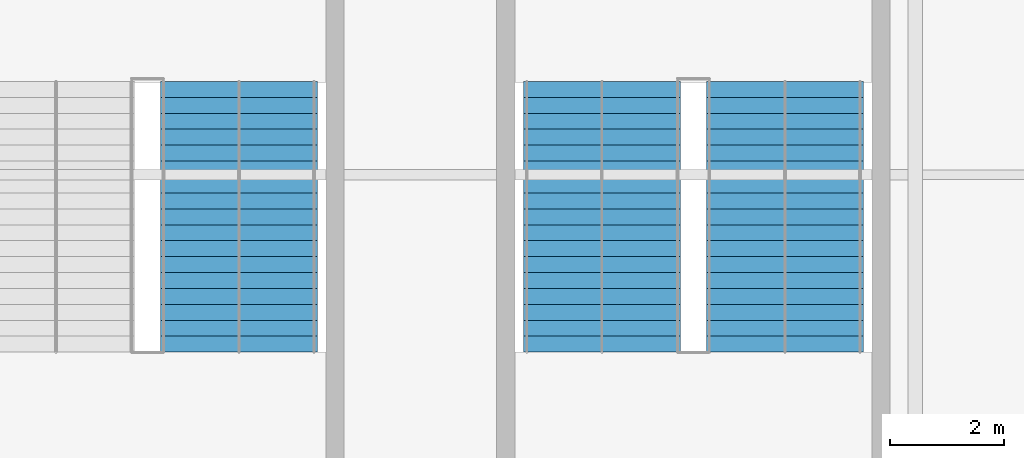
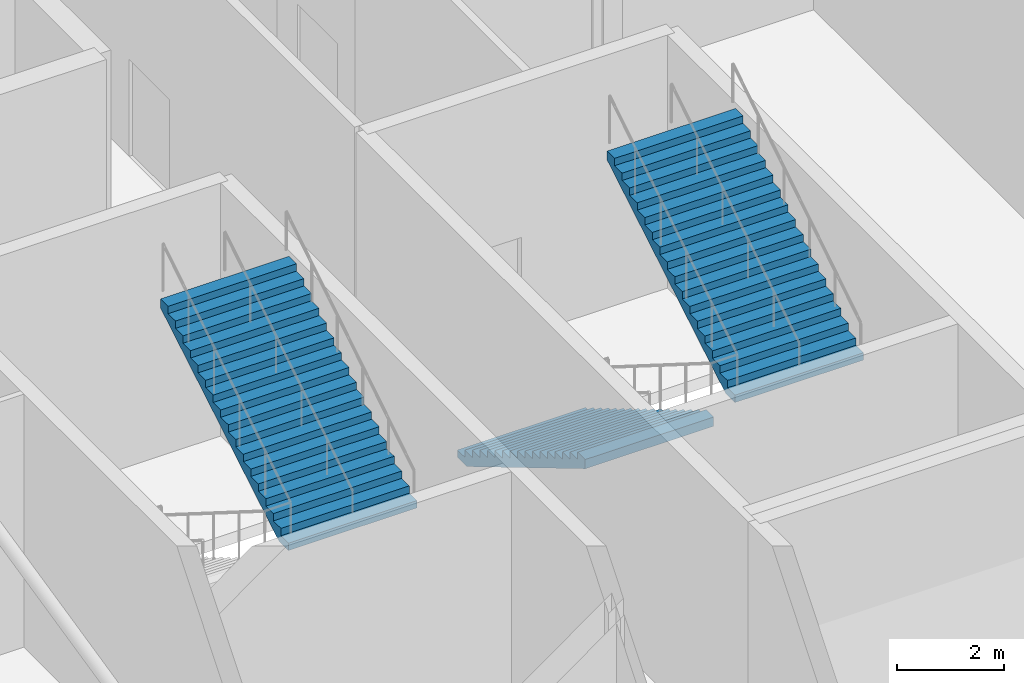
# One storey, part 58 of 84: 3 stair flights, 2 elements without a shape of their own.
"""IFC4 building model written with IfcOpenShell, lengths in metres."""

from ifc_helpers import new_model, si_unit, direction, frame, origin, place, context, subcontext, project, spatial, polygons, material, type_object, element, aggregate, save


model = new_model("IFC4")

# Units and contexts
model_context = context("Model", 3, precision=1e-05, world=origin(), true_north=direction((0.0, 1.0)))
body_context = subcontext(model_context, "Body", "Model", "MODEL_VIEW")
ifc_project = project(units=[si_unit("LENGTHUNIT", "METRE"), si_unit("AREAUNIT", "SQUARE_METRE"), si_unit("VOLUMEUNIT", "CUBIC_METRE"), si_unit("PLANEANGLEUNIT", "RADIAN"), si_unit("MASSUNIT", "GRAM", prefix="KILO")], contexts=[model_context])

# Site, building, storey
site_placement = place(None, origin())
site = spatial("IfcSite", under=ifc_project, at=site_placement, CompositionType="ELEMENT")
building_placement = place(site_placement, origin())
building = spatial("IfcBuilding", under=site, at=building_placement, Name="Kisiwana Market Hall", CompositionType="ELEMENT")
storey_placement = place(building_placement, origin())
storey = spatial("IfcBuildingStorey", under=building, at=storey_placement, Name="L00", CompositionType="ELEMENT", Elevation=0.0)

# Stair, stair flight
ifc_material_1 = material(Name="Concrete C32/40", Category="concrete")
stair_type = type_object("IfcStairType", Name="ST-ESC-6000", PredefinedType="TWO_STRAIGHT_RUN_STAIR", material=ifc_material_1)
stair_1_placement = place(storey_placement, origin())
stair_1 = element("IfcStair", 1, at=stair_1_placement, inside=storey, type_object=stair_type, Name="Escape stair ST-W4-L00", PredefinedType="TWO_STRAIGHT_RUN_STAIR")
ifc_material_2 = material(Name="Concrete C32/40", Category="concrete")
stair_flight_type = type_object("IfcStairFlightType", Name="SF-ESC-6000", PredefinedType="STRAIGHT", material=ifc_material_2)
stair_flight_1_placement = place(storey_placement, frame((15.110107421875, 72.8798828125, 3.0), z_axis=(0.0, 0.0, 1.0), x_axis=(0.0, 1.0, 0.0)))
stair_flight_1 = element("IfcStairFlight", 2, at=stair_flight_1_placement, type_object=stair_flight_type, Name="ST-W4-L00 flight 2", NumberOfRisers=18, NumberOfTreads=17, PredefinedType="STRAIGHT", RiserHeight=0.166667, TreadLength=0.28, context=body_context, shape_type="Tessellation", body=[
    polygons([(0.0, -1.380127, 0.0), (0.0, -0.690125, 0.0), (0.0, -0.000122, 0.0), (0.0, 0.68988, 0.0), (0.0, 1.379883, 0.0), (0.0, -1.380127, 0.166748), (0.0, -0.690125, 0.166748), (0.0, -0.000122, 0.166748), (0.0, 0.68988, 0.166748), (0.0, 1.379883, 0.166748), (0.280029, -1.380127, 0.166748), (0.280029, -0.690125, 0.166748), (0.280029, -0.000122, 0.166748), (0.280029, 0.68988, 0.166748), (0.280029, 1.379883, 0.166748), (0.280029, -1.380127, 0.333252), (0.280029, -0.690125, 0.333252), (0.280029, -0.000122, 0.333252), (0.280029, 0.68988, 0.333252), (0.280029, 1.379883, 0.333252), (0.560059, -1.380127, 0.333252), (0.560059, -0.690125, 0.333252), (0.560059, -0.000122, 0.333252), (0.560059, 0.68988, 0.333252), (0.560059, 1.379883, 0.333252), (0.560059, -1.380127, 0.5), (0.560059, -0.690125, 0.5), (0.560059, -0.000122, 0.5), (0.560059, 0.68988, 0.5), (0.560059, 1.379883, 0.5), (0.840088, -1.380127, 0.5), (0.840088, -0.690125, 0.5), (0.840088, -0.000122, 0.5), (0.840088, 0.68988, 0.5), (0.840088, 1.379883, 0.5), (0.840088, -1.380127, 0.666748), (0.840088, -0.690125, 0.666748), (0.840088, -0.000122, 0.666748), (0.840088, 0.68988, 0.666748), (0.840088, 1.379883, 0.666748), (1.120117, -1.380127, 0.666748), (1.120117, -0.690125, 0.666748), (1.120117, -0.000122, 0.666748), (1.120117, 0.68988, 0.666748), (1.120117, 1.379883, 0.666748), (1.120117, -1.380127, 0.833252), (1.120117, -0.690125, 0.833252), (1.120117, -0.000122, 0.833252), (1.120117, 0.68988, 0.833252), (1.120117, 1.379883, 0.833252), (1.399902, -1.380127, 0.833252), (1.399902, -0.690125, 0.833252), (1.399902, -0.000122, 0.833252), (1.399902, 0.68988, 0.833252), (1.399902, 1.379883, 0.833252), (1.399902, -1.380127, 1.0), (1.399902, -0.690125, 1.0), (1.399902, -0.000122, 1.0), (1.399902, 0.68988, 1.0), (1.399902, 1.379883, 1.0), (1.679932, -1.380127, 1.0), (1.679932, -0.690125, 1.0), (1.679932, -0.000122, 1.0), (1.679932, 0.68988, 1.0), (1.679932, 1.379883, 1.0), (1.679932, -1.380127, 1.166748), (1.679932, -0.690125, 1.166748), (1.679932, -0.000122, 1.166748), (1.679932, 0.68988, 1.166748), (1.679932, 1.379883, 1.166748), (1.959961, -1.380127, 1.166748), (1.959961, -0.690125, 1.166748), (1.959961, -0.000122, 1.166748), (1.959961, 0.68988, 1.166748), (1.959961, 1.379883, 1.166748), (1.959961, -1.380127, 1.333252), (1.959961, -0.690125, 1.333252), (1.959961, -0.000122, 1.333252), (1.959961, 0.68988, 1.333252), (1.959961, 1.379883, 1.333252), (2.23999, -1.380127, 1.333252), (2.23999, -0.690125, 1.333252), (2.23999, -0.000122, 1.333252), (2.23999, 0.68988, 1.333252), (2.23999, 1.379883, 1.333252), (2.23999, -1.380127, 1.5), (2.23999, -0.690125, 1.5), (2.23999, -0.000122, 1.5), (2.23999, 0.68988, 1.5), (2.23999, 1.379883, 1.5), (2.52002, -1.380127, 1.5), (2.52002, -0.690125, 1.5), (2.52002, -0.000122, 1.5), (2.52002, 0.68988, 1.5), (2.52002, 1.379883, 1.5), (2.52002, -1.380127, 1.666748), (2.52002, -0.690125, 1.666748), (2.52002, -0.000122, 1.666748), (2.52002, 0.68988, 1.666748), (2.52002, 1.379883, 1.666748), (2.800049, -1.380127, 1.666748), (2.800049, -0.690125, 1.666748), (2.800049, -0.000122, 1.666748), (2.800049, 0.68988, 1.666748), (2.800049, 1.379883, 1.666748), (2.800049, -1.380127, 1.833252), (2.800049, -0.690125, 1.833252), (2.800049, -0.000122, 1.833252), (2.800049, 0.68988, 1.833252), (2.800049, 1.379883, 1.833252), (3.080078, -1.380127, 1.833252), (3.080078, -0.690125, 1.833252), (3.080078, -0.000122, 1.833252), (3.080078, 0.68988, 1.833252), (3.080078, 1.379883, 1.833252), (3.080078, -1.380127, 2.0), (3.080078, -0.690125, 2.0), (3.080078, -0.000122, 2.0), (3.080078, 0.68988, 2.0), (3.080078, 1.379883, 2.0), (3.360107, -1.380127, 2.0), (3.360107, -0.690125, 2.0), (3.360107, -0.000122, 2.0), (3.360107, 0.68988, 2.0), (3.360107, 1.379883, 2.0), (3.360107, -1.380127, 2.166748), (3.360107, -0.690125, 2.166748), (3.360107, -0.000122, 2.166748), (3.360107, 0.68988, 2.166748), (3.360107, 1.379883, 2.166748), (3.639893, -1.380127, 2.166748), (3.639893, -0.690125, 2.166748), (3.639893, -0.000122, 2.166748), (3.639893, 0.68988, 2.166748), (3.639893, 1.379883, 2.166748), (3.639893, -1.380127, 2.333252), (3.639893, -0.690125, 2.333252), (3.639893, -0.000122, 2.333252), (3.639893, 0.68988, 2.333252), (3.639893, 1.379883, 2.333252), (3.919922, -1.380127, 2.333252), (3.919922, -0.690125, 2.333252), (3.919922, -0.000122, 2.333252), (3.919922, 0.68988, 2.333252), (3.919922, 1.379883, 2.333252), (3.919922, -1.380127, 2.5), (3.919922, -0.690125, 2.5), (3.919922, -0.000122, 2.5), (3.919922, 0.68988, 2.5), (3.919922, 1.379883, 2.5), (4.199951, -1.380127, 2.5), (4.199951, -0.690125, 2.5), (4.199951, -0.000122, 2.5), (4.199951, 0.68988, 2.5), (4.199951, 1.379883, 2.5), (4.199951, -1.380127, 2.666748), (4.199951, -0.690125, 2.666748), (4.199951, -0.000122, 2.666748), (4.199951, 0.68988, 2.666748), (4.199951, 1.379883, 2.666748), (4.47998, -1.380127, 2.666748), (4.47998, -0.690125, 2.666748), (4.47998, -0.000122, 2.666748), (4.47998, 0.68988, 2.666748), (4.47998, 1.379883, 2.666748), (4.47998, -1.380127, 2.833252), (4.47998, -0.690125, 2.833252), (4.47998, -0.000122, 2.833252), (4.47998, 0.68988, 2.833252), (4.47998, 1.379883, 2.833252), (4.76001, -1.380127, 2.833252), (4.76001, -0.690125, 2.833252), (4.76001, -0.000122, 2.833252), (4.76001, 0.68988, 2.833252), (4.76001, 1.379883, 2.833252), (4.76001, -1.380127, 2.624023), (4.76001, -0.690125, 2.624023), (4.76001, -0.000122, 2.624023), (4.76001, 0.68988, 2.624023), (4.76001, 1.379883, 2.624023), (0.351807, -1.380127, 0.0), (0.351807, -0.690125, 0.0), (0.351807, -0.000122, 0.0), (0.351807, 0.68988, 0.0), (0.351807, 1.379883, 0.0)], [[[1, 6, 7, 2]], [[2, 7, 8, 3]], [[3, 8, 9, 4]], [[4, 9, 10, 5]], [[6, 11, 12, 7]], [[7, 12, 13, 8]], [[8, 13, 14, 9]], [[9, 14, 15, 10]], [[11, 16, 17, 12]], [[12, 17, 18, 13]], [[13, 18, 19, 14]], [[14, 19, 20, 15]], [[16, 21, 22, 17]], [[17, 22, 23, 18]], [[18, 23, 24, 19]], [[19, 24, 25, 20]], [[21, 26, 27, 22]], [[22, 27, 28, 23]], [[23, 28, 29, 24]], [[24, 29, 30, 25]], [[26, 31, 32, 27]], [[27, 32, 33, 28]], [[28, 33, 34, 29]], [[29, 34, 35, 30]], [[31, 36, 37, 32]], [[32, 37, 38, 33]], [[33, 38, 39, 34]], [[34, 39, 40, 35]], [[36, 41, 42, 37]], [[37, 42, 43, 38]], [[38, 43, 44, 39]], [[39, 44, 45, 40]], [[41, 46, 47, 42]], [[42, 47, 48, 43]], [[43, 48, 49, 44]], [[44, 49, 50, 45]], [[46, 51, 52, 47]], [[47, 52, 53, 48]], [[48, 53, 54, 49]], [[49, 54, 55, 50]], [[51, 56, 57, 52]], [[52, 57, 58, 53]], [[53, 58, 59, 54]], [[54, 59, 60, 55]], [[56, 61, 62, 57]], [[57, 62, 63, 58]], [[58, 63, 64, 59]], [[59, 64, 65, 60]], [[61, 66, 67, 62]], [[62, 67, 68, 63]], [[63, 68, 69, 64]], [[64, 69, 70, 65]], [[66, 71, 72, 67]], [[67, 72, 73, 68]], [[68, 73, 74, 69]], [[69, 74, 75, 70]], [[71, 76, 77, 72]], [[72, 77, 78, 73]], [[73, 78, 79, 74]], [[74, 79, 80, 75]], [[76, 81, 82, 77]], [[77, 82, 83, 78]], [[78, 83, 84, 79]], [[79, 84, 85, 80]], [[81, 86, 87, 82]], [[82, 87, 88, 83]], [[83, 88, 89, 84]], [[84, 89, 90, 85]], [[86, 91, 92, 87]], [[87, 92, 93, 88]], [[88, 93, 94, 89]], [[89, 94, 95, 90]], [[91, 96, 97, 92]], [[92, 97, 98, 93]], [[93, 98, 99, 94]], [[94, 99, 100, 95]], [[96, 101, 102, 97]], [[97, 102, 103, 98]], [[98, 103, 104, 99]], [[99, 104, 105, 100]], [[101, 106, 107, 102]], [[102, 107, 108, 103]], [[103, 108, 109, 104]], [[104, 109, 110, 105]], [[106, 111, 112, 107]], [[107, 112, 113, 108]], [[108, 113, 114, 109]], [[109, 114, 115, 110]], [[111, 116, 117, 112]], [[112, 117, 118, 113]], [[113, 118, 119, 114]], [[114, 119, 120, 115]], [[116, 121, 122, 117]], [[117, 122, 123, 118]], [[118, 123, 124, 119]], [[119, 124, 125, 120]], [[121, 126, 127, 122]], [[122, 127, 128, 123]], [[123, 128, 129, 124]], [[124, 129, 130, 125]], [[126, 131, 132, 127]], [[127, 132, 133, 128]], [[128, 133, 134, 129]], [[129, 134, 135, 130]], [[131, 136, 137, 132]], [[132, 137, 138, 133]], [[133, 138, 139, 134]], [[134, 139, 140, 135]], [[136, 141, 142, 137]], [[137, 142, 143, 138]], [[138, 143, 144, 139]], [[139, 144, 145, 140]], [[141, 146, 147, 142]], [[142, 147, 148, 143]], [[143, 148, 149, 144]], [[144, 149, 150, 145]], [[146, 151, 152, 147]], [[147, 152, 153, 148]], [[148, 153, 154, 149]], [[149, 154, 155, 150]], [[151, 156, 157, 152]], [[152, 157, 158, 153]], [[153, 158, 159, 154]], [[154, 159, 160, 155]], [[156, 161, 162, 157]], [[157, 162, 163, 158]], [[158, 163, 164, 159]], [[159, 164, 165, 160]], [[161, 166, 167, 162]], [[162, 167, 168, 163]], [[163, 168, 169, 164]], [[164, 169, 170, 165]], [[166, 171, 172, 167]], [[167, 172, 173, 168]], [[168, 173, 174, 169]], [[169, 174, 175, 170]], [[171, 176, 177, 172]], [[172, 177, 178, 173]], [[173, 178, 179, 174]], [[174, 179, 180, 175]], [[176, 181, 182, 177]], [[177, 182, 183, 178]], [[178, 183, 184, 179]], [[179, 184, 185, 180]], [[181, 1, 2, 182]], [[182, 2, 3, 183]], [[183, 3, 4, 184]], [[184, 4, 5, 185]], [[181, 176, 171, 166, 161, 156, 151, 146, 141, 136, 131, 126, 121, 116, 111, 106, 101, 96, 91, 86, 81, 76, 71, 66, 61, 56, 51, 46, 41, 36, 31, 26, 21, 16, 11, 6, 1]], [[5, 10, 15, 20, 25, 30, 35, 40, 45, 50, 55, 60, 65, 70, 75, 80, 85, 90, 95, 100, 105, 110, 115, 120, 125, 130, 135, 140, 145, 150, 155, 160, 165, 170, 175, 180, 185]]], closed=True),
])
aggregate(stair_1, [stair_flight_1])

# Stair, stair flights
stair_2_placement = place(storey_placement, origin())
stair_2 = element("IfcStair", 3, at=stair_2_placement, inside=storey, type_object=stair_type, Name="Escape stair ST-W8-L00", PredefinedType="TWO_STRAIGHT_RUN_STAIR")
stair_flight_2_placement = place(storey_placement, frame((21.489990234375, 77.639892578125, 0.0), z_axis=(0.0, 0.0, 1.0), x_axis=(0.0, -1.0, 0.0)))
stair_flight_2 = element("IfcStairFlight", 4, at=stair_flight_2_placement, type_object=stair_flight_type, Name="ST-W8-L00 flight 1", NumberOfRisers=18, NumberOfTreads=17, PredefinedType="STRAIGHT", RiserHeight=0.166667, TreadLength=0.28, context=body_context, shape_type="Tessellation", body=[
    polygons([(0.0, -1.380127, 0.0), (0.0, -0.690125, 0.0), (0.0, -0.000122, 0.0), (0.0, 0.68988, 0.0), (0.0, 1.379883, 0.0), (0.0, -1.380127, 0.166748), (0.0, -0.690125, 0.166748), (0.0, -0.000122, 0.166748), (0.0, 0.68988, 0.166748), (0.0, 1.379883, 0.166748), (0.280029, -1.380127, 0.166748), (0.280029, -0.690125, 0.166748), (0.280029, -0.000122, 0.166748), (0.280029, 0.68988, 0.166748), (0.280029, 1.379883, 0.166748), (0.280029, -1.380127, 0.333252), (0.280029, -0.690125, 0.333252), (0.280029, -0.000122, 0.333252), (0.280029, 0.68988, 0.333252), (0.280029, 1.379883, 0.333252), (0.560059, -1.380127, 0.333252), (0.560059, -0.690125, 0.333252), (0.560059, -0.000122, 0.333252), (0.560059, 0.68988, 0.333252), (0.560059, 1.379883, 0.333252), (0.560059, -1.380127, 0.5), (0.560059, -0.690125, 0.5), (0.560059, -0.000122, 0.5), (0.560059, 0.68988, 0.5), (0.560059, 1.379883, 0.5), (0.840088, -1.380127, 0.5), (0.840088, -0.690125, 0.5), (0.840088, -0.000122, 0.5), (0.840088, 0.68988, 0.5), (0.840088, 1.379883, 0.5), (0.840088, -1.380127, 0.666748), (0.840088, -0.690125, 0.666748), (0.840088, -0.000122, 0.666748), (0.840088, 0.68988, 0.666748), (0.840088, 1.379883, 0.666748), (1.120117, -1.380127, 0.666748), (1.120117, -0.690125, 0.666748), (1.120117, -0.000122, 0.666748), (1.120117, 0.68988, 0.666748), (1.120117, 1.379883, 0.666748), (1.120117, -1.380127, 0.833252), (1.120117, -0.690125, 0.833252), (1.120117, -0.000122, 0.833252), (1.120117, 0.68988, 0.833252), (1.120117, 1.379883, 0.833252), (1.399902, -1.380127, 0.833252), (1.399902, -0.690125, 0.833252), (1.399902, -0.000122, 0.833252), (1.399902, 0.68988, 0.833252), (1.399902, 1.379883, 0.833252), (1.399902, -1.380127, 1.0), (1.399902, -0.690125, 1.0), (1.399902, -0.000122, 1.0), (1.399902, 0.68988, 1.0), (1.399902, 1.379883, 1.0), (1.679932, -1.380127, 1.0), (1.679932, -0.690125, 1.0), (1.679932, -0.000122, 1.0), (1.679932, 0.68988, 1.0), (1.679932, 1.379883, 1.0), (1.679932, -1.380127, 1.166748), (1.679932, -0.690125, 1.166748), (1.679932, -0.000122, 1.166748), (1.679932, 0.68988, 1.166748), (1.679932, 1.379883, 1.166748), (1.959961, -1.380127, 1.166748), (1.959961, -0.690125, 1.166748), (1.959961, -0.000122, 1.166748), (1.959961, 0.68988, 1.166748), (1.959961, 1.379883, 1.166748), (1.959961, -1.380127, 1.333252), (1.959961, -0.690125, 1.333252), (1.959961, -0.000122, 1.333252), (1.959961, 0.68988, 1.333252), (1.959961, 1.379883, 1.333252), (2.23999, -1.380127, 1.333252), (2.23999, -0.690125, 1.333252), (2.23999, -0.000122, 1.333252), (2.23999, 0.68988, 1.333252), (2.23999, 1.379883, 1.333252), (2.23999, -1.380127, 1.5), (2.23999, -0.690125, 1.5), (2.23999, -0.000122, 1.5), (2.23999, 0.68988, 1.5), (2.23999, 1.379883, 1.5), (2.52002, -1.380127, 1.5), (2.52002, -0.690125, 1.5), (2.52002, -0.000122, 1.5), (2.52002, 0.68988, 1.5), (2.52002, 1.379883, 1.5), (2.52002, -1.380127, 1.666748), (2.52002, -0.690125, 1.666748), (2.52002, -0.000122, 1.666748), (2.52002, 0.68988, 1.666748), (2.52002, 1.379883, 1.666748), (2.800049, -1.380127, 1.666748), (2.800049, -0.690125, 1.666748), (2.800049, -0.000122, 1.666748), (2.800049, 0.68988, 1.666748), (2.800049, 1.379883, 1.666748), (2.800049, -1.380127, 1.833252), (2.800049, -0.690125, 1.833252), (2.800049, -0.000122, 1.833252), (2.800049, 0.68988, 1.833252), (2.800049, 1.379883, 1.833252), (3.080078, -1.380127, 1.833252), (3.080078, -0.690125, 1.833252), (3.080078, -0.000122, 1.833252), (3.080078, 0.68988, 1.833252), (3.080078, 1.379883, 1.833252), (3.080078, -1.380127, 2.0), (3.080078, -0.690125, 2.0), (3.080078, -0.000122, 2.0), (3.080078, 0.68988, 2.0), (3.080078, 1.379883, 2.0), (3.360107, -1.380127, 2.0), (3.360107, -0.690125, 2.0), (3.360107, -0.000122, 2.0), (3.360107, 0.68988, 2.0), (3.360107, 1.379883, 2.0), (3.360107, -1.380127, 2.166748), (3.360107, -0.690125, 2.166748), (3.360107, -0.000122, 2.166748), (3.360107, 0.68988, 2.166748), (3.360107, 1.379883, 2.166748), (3.639893, -1.380127, 2.166748), (3.639893, -0.690125, 2.166748), (3.639893, -0.000122, 2.166748), (3.639893, 0.68988, 2.166748), (3.639893, 1.379883, 2.166748), (3.639893, -1.380127, 2.333252), (3.639893, -0.690125, 2.333252), (3.639893, -0.000122, 2.333252), (3.639893, 0.68988, 2.333252), (3.639893, 1.379883, 2.333252), (3.919922, -1.380127, 2.333252), (3.919922, -0.690125, 2.333252), (3.919922, -0.000122, 2.333252), (3.919922, 0.68988, 2.333252), (3.919922, 1.379883, 2.333252), (3.919922, -1.380127, 2.5), (3.919922, -0.690125, 2.5), (3.919922, -0.000122, 2.5), (3.919922, 0.68988, 2.5), (3.919922, 1.379883, 2.5), (4.199951, -1.380127, 2.5), (4.199951, -0.690125, 2.5), (4.199951, -0.000122, 2.5), (4.199951, 0.68988, 2.5), (4.199951, 1.379883, 2.5), (4.199951, -1.380127, 2.666748), (4.199951, -0.690125, 2.666748), (4.199951, -0.000122, 2.666748), (4.199951, 0.68988, 2.666748), (4.199951, 1.379883, 2.666748), (4.47998, -1.380127, 2.666748), (4.47998, -0.690125, 2.666748), (4.47998, -0.000122, 2.666748), (4.47998, 0.68988, 2.666748), (4.47998, 1.379883, 2.666748), (4.47998, -1.380127, 2.833252), (4.47998, -0.690125, 2.833252), (4.47998, -0.000122, 2.833252), (4.47998, 0.68988, 2.833252), (4.47998, 1.379883, 2.833252), (4.76001, -1.380127, 2.833252), (4.76001, -0.690125, 2.833252), (4.76001, -0.000122, 2.833252), (4.76001, 0.68988, 2.833252), (4.76001, 1.379883, 2.833252), (4.76001, -1.380127, 2.624023), (4.76001, -0.690125, 2.624023), (4.76001, -0.000122, 2.624023), (4.76001, 0.68988, 2.624023), (4.76001, 1.379883, 2.624023), (0.351807, -1.380127, 0.0), (0.351807, -0.690125, 0.0), (0.351807, -0.000122, 0.0), (0.351807, 0.68988, 0.0), (0.351807, 1.379883, 0.0)], [[[1, 6, 7, 2]], [[2, 7, 8, 3]], [[3, 8, 9, 4]], [[4, 9, 10, 5]], [[6, 11, 12, 7]], [[7, 12, 13, 8]], [[8, 13, 14, 9]], [[9, 14, 15, 10]], [[11, 16, 17, 12]], [[12, 17, 18, 13]], [[13, 18, 19, 14]], [[14, 19, 20, 15]], [[16, 21, 22, 17]], [[17, 22, 23, 18]], [[18, 23, 24, 19]], [[19, 24, 25, 20]], [[21, 26, 27, 22]], [[22, 27, 28, 23]], [[23, 28, 29, 24]], [[24, 29, 30, 25]], [[26, 31, 32, 27]], [[27, 32, 33, 28]], [[28, 33, 34, 29]], [[29, 34, 35, 30]], [[31, 36, 37, 32]], [[32, 37, 38, 33]], [[33, 38, 39, 34]], [[34, 39, 40, 35]], [[36, 41, 42, 37]], [[37, 42, 43, 38]], [[38, 43, 44, 39]], [[39, 44, 45, 40]], [[41, 46, 47, 42]], [[42, 47, 48, 43]], [[43, 48, 49, 44]], [[44, 49, 50, 45]], [[46, 51, 52, 47]], [[47, 52, 53, 48]], [[48, 53, 54, 49]], [[49, 54, 55, 50]], [[51, 56, 57, 52]], [[52, 57, 58, 53]], [[53, 58, 59, 54]], [[54, 59, 60, 55]], [[56, 61, 62, 57]], [[57, 62, 63, 58]], [[58, 63, 64, 59]], [[59, 64, 65, 60]], [[61, 66, 67, 62]], [[62, 67, 68, 63]], [[63, 68, 69, 64]], [[64, 69, 70, 65]], [[66, 71, 72, 67]], [[67, 72, 73, 68]], [[68, 73, 74, 69]], [[69, 74, 75, 70]], [[71, 76, 77, 72]], [[72, 77, 78, 73]], [[73, 78, 79, 74]], [[74, 79, 80, 75]], [[76, 81, 82, 77]], [[77, 82, 83, 78]], [[78, 83, 84, 79]], [[79, 84, 85, 80]], [[81, 86, 87, 82]], [[82, 87, 88, 83]], [[83, 88, 89, 84]], [[84, 89, 90, 85]], [[86, 91, 92, 87]], [[87, 92, 93, 88]], [[88, 93, 94, 89]], [[89, 94, 95, 90]], [[91, 96, 97, 92]], [[92, 97, 98, 93]], [[93, 98, 99, 94]], [[94, 99, 100, 95]], [[96, 101, 102, 97]], [[97, 102, 103, 98]], [[98, 103, 104, 99]], [[99, 104, 105, 100]], [[101, 106, 107, 102]], [[102, 107, 108, 103]], [[103, 108, 109, 104]], [[104, 109, 110, 105]], [[106, 111, 112, 107]], [[107, 112, 113, 108]], [[108, 113, 114, 109]], [[109, 114, 115, 110]], [[111, 116, 117, 112]], [[112, 117, 118, 113]], [[113, 118, 119, 114]], [[114, 119, 120, 115]], [[116, 121, 122, 117]], [[117, 122, 123, 118]], [[118, 123, 124, 119]], [[119, 124, 125, 120]], [[121, 126, 127, 122]], [[122, 127, 128, 123]], [[123, 128, 129, 124]], [[124, 129, 130, 125]], [[126, 131, 132, 127]], [[127, 132, 133, 128]], [[128, 133, 134, 129]], [[129, 134, 135, 130]], [[131, 136, 137, 132]], [[132, 137, 138, 133]], [[133, 138, 139, 134]], [[134, 139, 140, 135]], [[136, 141, 142, 137]], [[137, 142, 143, 138]], [[138, 143, 144, 139]], [[139, 144, 145, 140]], [[141, 146, 147, 142]], [[142, 147, 148, 143]], [[143, 148, 149, 144]], [[144, 149, 150, 145]], [[146, 151, 152, 147]], [[147, 152, 153, 148]], [[148, 153, 154, 149]], [[149, 154, 155, 150]], [[151, 156, 157, 152]], [[152, 157, 158, 153]], [[153, 158, 159, 154]], [[154, 159, 160, 155]], [[156, 161, 162, 157]], [[157, 162, 163, 158]], [[158, 163, 164, 159]], [[159, 164, 165, 160]], [[161, 166, 167, 162]], [[162, 167, 168, 163]], [[163, 168, 169, 164]], [[164, 169, 170, 165]], [[166, 171, 172, 167]], [[167, 172, 173, 168]], [[168, 173, 174, 169]], [[169, 174, 175, 170]], [[171, 176, 177, 172]], [[172, 177, 178, 173]], [[173, 178, 179, 174]], [[174, 179, 180, 175]], [[176, 181, 182, 177]], [[177, 182, 183, 178]], [[178, 183, 184, 179]], [[179, 184, 185, 180]], [[181, 1, 2, 182]], [[182, 2, 3, 183]], [[183, 3, 4, 184]], [[184, 4, 5, 185]], [[181, 176, 171, 166, 161, 156, 151, 146, 141, 136, 131, 126, 121, 116, 111, 106, 101, 96, 91, 86, 81, 76, 71, 66, 61, 56, 51, 46, 41, 36, 31, 26, 21, 16, 11, 6, 1]], [[5, 10, 15, 20, 25, 30, 35, 40, 45, 50, 55, 60, 65, 70, 75, 80, 85, 90, 95, 100, 105, 110, 115, 120, 125, 130, 135, 140, 145, 150, 155, 160, 165, 170, 175, 180, 185]]], closed=True),
])
stair_flight_3_placement = place(storey_placement, frame((24.7099609375, 72.8798828125, 3.0), z_axis=(0.0, 0.0, 1.0), x_axis=(0.0, 1.0, 0.0)))
stair_flight_3 = element("IfcStairFlight", 5, at=stair_flight_3_placement, type_object=stair_flight_type, Name="ST-W8-L00 flight 2", NumberOfRisers=18, NumberOfTreads=17, PredefinedType="STRAIGHT", RiserHeight=0.166667, TreadLength=0.28, context=body_context, shape_type="Tessellation", body=[
    polygons([(0.0, -1.380127, 0.0), (0.0, -0.690125, 0.0), (0.0, -0.000122, 0.0), (0.0, 0.68988, 0.0), (0.0, 1.379883, 0.0), (0.0, -1.380127, 0.166748), (0.0, -0.690125, 0.166748), (0.0, -0.000122, 0.166748), (0.0, 0.68988, 0.166748), (0.0, 1.379883, 0.166748), (0.280029, -1.380127, 0.166748), (0.280029, -0.690125, 0.166748), (0.280029, -0.000122, 0.166748), (0.280029, 0.68988, 0.166748), (0.280029, 1.379883, 0.166748), (0.280029, -1.380127, 0.333252), (0.280029, -0.690125, 0.333252), (0.280029, -0.000122, 0.333252), (0.280029, 0.68988, 0.333252), (0.280029, 1.379883, 0.333252), (0.560059, -1.380127, 0.333252), (0.560059, -0.690125, 0.333252), (0.560059, -0.000122, 0.333252), (0.560059, 0.68988, 0.333252), (0.560059, 1.379883, 0.333252), (0.560059, -1.380127, 0.5), (0.560059, -0.690125, 0.5), (0.560059, -0.000122, 0.5), (0.560059, 0.68988, 0.5), (0.560059, 1.379883, 0.5), (0.840088, -1.380127, 0.5), (0.840088, -0.690125, 0.5), (0.840088, -0.000122, 0.5), (0.840088, 0.68988, 0.5), (0.840088, 1.379883, 0.5), (0.840088, -1.380127, 0.666748), (0.840088, -0.690125, 0.666748), (0.840088, -0.000122, 0.666748), (0.840088, 0.68988, 0.666748), (0.840088, 1.379883, 0.666748), (1.120117, -1.380127, 0.666748), (1.120117, -0.690125, 0.666748), (1.120117, -0.000122, 0.666748), (1.120117, 0.68988, 0.666748), (1.120117, 1.379883, 0.666748), (1.120117, -1.380127, 0.833252), (1.120117, -0.690125, 0.833252), (1.120117, -0.000122, 0.833252), (1.120117, 0.68988, 0.833252), (1.120117, 1.379883, 0.833252), (1.399902, -1.380127, 0.833252), (1.399902, -0.690125, 0.833252), (1.399902, -0.000122, 0.833252), (1.399902, 0.68988, 0.833252), (1.399902, 1.379883, 0.833252), (1.399902, -1.380127, 1.0), (1.399902, -0.690125, 1.0), (1.399902, -0.000122, 1.0), (1.399902, 0.68988, 1.0), (1.399902, 1.379883, 1.0), (1.679932, -1.380127, 1.0), (1.679932, -0.690125, 1.0), (1.679932, -0.000122, 1.0), (1.679932, 0.68988, 1.0), (1.679932, 1.379883, 1.0), (1.679932, -1.380127, 1.166748), (1.679932, -0.690125, 1.166748), (1.679932, -0.000122, 1.166748), (1.679932, 0.68988, 1.166748), (1.679932, 1.379883, 1.166748), (1.959961, -1.380127, 1.166748), (1.959961, -0.690125, 1.166748), (1.959961, -0.000122, 1.166748), (1.959961, 0.68988, 1.166748), (1.959961, 1.379883, 1.166748), (1.959961, -1.380127, 1.333252), (1.959961, -0.690125, 1.333252), (1.959961, -0.000122, 1.333252), (1.959961, 0.68988, 1.333252), (1.959961, 1.379883, 1.333252), (2.23999, -1.380127, 1.333252), (2.23999, -0.690125, 1.333252), (2.23999, -0.000122, 1.333252), (2.23999, 0.68988, 1.333252), (2.23999, 1.379883, 1.333252), (2.23999, -1.380127, 1.5), (2.23999, -0.690125, 1.5), (2.23999, -0.000122, 1.5), (2.23999, 0.68988, 1.5), (2.23999, 1.379883, 1.5), (2.52002, -1.380127, 1.5), (2.52002, -0.690125, 1.5), (2.52002, -0.000122, 1.5), (2.52002, 0.68988, 1.5), (2.52002, 1.379883, 1.5), (2.52002, -1.380127, 1.666748), (2.52002, -0.690125, 1.666748), (2.52002, -0.000122, 1.666748), (2.52002, 0.68988, 1.666748), (2.52002, 1.379883, 1.666748), (2.800049, -1.380127, 1.666748), (2.800049, -0.690125, 1.666748), (2.800049, -0.000122, 1.666748), (2.800049, 0.68988, 1.666748), (2.800049, 1.379883, 1.666748), (2.800049, -1.380127, 1.833252), (2.800049, -0.690125, 1.833252), (2.800049, -0.000122, 1.833252), (2.800049, 0.68988, 1.833252), (2.800049, 1.379883, 1.833252), (3.080078, -1.380127, 1.833252), (3.080078, -0.690125, 1.833252), (3.080078, -0.000122, 1.833252), (3.080078, 0.68988, 1.833252), (3.080078, 1.379883, 1.833252), (3.080078, -1.380127, 2.0), (3.080078, -0.690125, 2.0), (3.080078, -0.000122, 2.0), (3.080078, 0.68988, 2.0), (3.080078, 1.379883, 2.0), (3.360107, -1.380127, 2.0), (3.360107, -0.690125, 2.0), (3.360107, -0.000122, 2.0), (3.360107, 0.68988, 2.0), (3.360107, 1.379883, 2.0), (3.360107, -1.380127, 2.166748), (3.360107, -0.690125, 2.166748), (3.360107, -0.000122, 2.166748), (3.360107, 0.68988, 2.166748), (3.360107, 1.379883, 2.166748), (3.639893, -1.380127, 2.166748), (3.639893, -0.690125, 2.166748), (3.639893, -0.000122, 2.166748), (3.639893, 0.68988, 2.166748), (3.639893, 1.379883, 2.166748), (3.639893, -1.380127, 2.333252), (3.639893, -0.690125, 2.333252), (3.639893, -0.000122, 2.333252), (3.639893, 0.68988, 2.333252), (3.639893, 1.379883, 2.333252), (3.919922, -1.380127, 2.333252), (3.919922, -0.690125, 2.333252), (3.919922, -0.000122, 2.333252), (3.919922, 0.68988, 2.333252), (3.919922, 1.379883, 2.333252), (3.919922, -1.380127, 2.5), (3.919922, -0.690125, 2.5), (3.919922, -0.000122, 2.5), (3.919922, 0.68988, 2.5), (3.919922, 1.379883, 2.5), (4.199951, -1.380127, 2.5), (4.199951, -0.690125, 2.5), (4.199951, -0.000122, 2.5), (4.199951, 0.68988, 2.5), (4.199951, 1.379883, 2.5), (4.199951, -1.380127, 2.666748), (4.199951, -0.690125, 2.666748), (4.199951, -0.000122, 2.666748), (4.199951, 0.68988, 2.666748), (4.199951, 1.379883, 2.666748), (4.47998, -1.380127, 2.666748), (4.47998, -0.690125, 2.666748), (4.47998, -0.000122, 2.666748), (4.47998, 0.68988, 2.666748), (4.47998, 1.379883, 2.666748), (4.47998, -1.380127, 2.833252), (4.47998, -0.690125, 2.833252), (4.47998, -0.000122, 2.833252), (4.47998, 0.68988, 2.833252), (4.47998, 1.379883, 2.833252), (4.76001, -1.380127, 2.833252), (4.76001, -0.690125, 2.833252), (4.76001, -0.000122, 2.833252), (4.76001, 0.68988, 2.833252), (4.76001, 1.379883, 2.833252), (4.76001, -1.380127, 2.624023), (4.76001, -0.690125, 2.624023), (4.76001, -0.000122, 2.624023), (4.76001, 0.68988, 2.624023), (4.76001, 1.379883, 2.624023), (0.351807, -1.380127, 0.0), (0.351807, -0.690125, 0.0), (0.351807, -0.000122, 0.0), (0.351807, 0.68988, 0.0), (0.351807, 1.379883, 0.0)], [[[1, 6, 7, 2]], [[2, 7, 8, 3]], [[3, 8, 9, 4]], [[4, 9, 10, 5]], [[6, 11, 12, 7]], [[7, 12, 13, 8]], [[8, 13, 14, 9]], [[9, 14, 15, 10]], [[11, 16, 17, 12]], [[12, 17, 18, 13]], [[13, 18, 19, 14]], [[14, 19, 20, 15]], [[16, 21, 22, 17]], [[17, 22, 23, 18]], [[18, 23, 24, 19]], [[19, 24, 25, 20]], [[21, 26, 27, 22]], [[22, 27, 28, 23]], [[23, 28, 29, 24]], [[24, 29, 30, 25]], [[26, 31, 32, 27]], [[27, 32, 33, 28]], [[28, 33, 34, 29]], [[29, 34, 35, 30]], [[31, 36, 37, 32]], [[32, 37, 38, 33]], [[33, 38, 39, 34]], [[34, 39, 40, 35]], [[36, 41, 42, 37]], [[37, 42, 43, 38]], [[38, 43, 44, 39]], [[39, 44, 45, 40]], [[41, 46, 47, 42]], [[42, 47, 48, 43]], [[43, 48, 49, 44]], [[44, 49, 50, 45]], [[46, 51, 52, 47]], [[47, 52, 53, 48]], [[48, 53, 54, 49]], [[49, 54, 55, 50]], [[51, 56, 57, 52]], [[52, 57, 58, 53]], [[53, 58, 59, 54]], [[54, 59, 60, 55]], [[56, 61, 62, 57]], [[57, 62, 63, 58]], [[58, 63, 64, 59]], [[59, 64, 65, 60]], [[61, 66, 67, 62]], [[62, 67, 68, 63]], [[63, 68, 69, 64]], [[64, 69, 70, 65]], [[66, 71, 72, 67]], [[67, 72, 73, 68]], [[68, 73, 74, 69]], [[69, 74, 75, 70]], [[71, 76, 77, 72]], [[72, 77, 78, 73]], [[73, 78, 79, 74]], [[74, 79, 80, 75]], [[76, 81, 82, 77]], [[77, 82, 83, 78]], [[78, 83, 84, 79]], [[79, 84, 85, 80]], [[81, 86, 87, 82]], [[82, 87, 88, 83]], [[83, 88, 89, 84]], [[84, 89, 90, 85]], [[86, 91, 92, 87]], [[87, 92, 93, 88]], [[88, 93, 94, 89]], [[89, 94, 95, 90]], [[91, 96, 97, 92]], [[92, 97, 98, 93]], [[93, 98, 99, 94]], [[94, 99, 100, 95]], [[96, 101, 102, 97]], [[97, 102, 103, 98]], [[98, 103, 104, 99]], [[99, 104, 105, 100]], [[101, 106, 107, 102]], [[102, 107, 108, 103]], [[103, 108, 109, 104]], [[104, 109, 110, 105]], [[106, 111, 112, 107]], [[107, 112, 113, 108]], [[108, 113, 114, 109]], [[109, 114, 115, 110]], [[111, 116, 117, 112]], [[112, 117, 118, 113]], [[113, 118, 119, 114]], [[114, 119, 120, 115]], [[116, 121, 122, 117]], [[117, 122, 123, 118]], [[118, 123, 124, 119]], [[119, 124, 125, 120]], [[121, 126, 127, 122]], [[122, 127, 128, 123]], [[123, 128, 129, 124]], [[124, 129, 130, 125]], [[126, 131, 132, 127]], [[127, 132, 133, 128]], [[128, 133, 134, 129]], [[129, 134, 135, 130]], [[131, 136, 137, 132]], [[132, 137, 138, 133]], [[133, 138, 139, 134]], [[134, 139, 140, 135]], [[136, 141, 142, 137]], [[137, 142, 143, 138]], [[138, 143, 144, 139]], [[139, 144, 145, 140]], [[141, 146, 147, 142]], [[142, 147, 148, 143]], [[143, 148, 149, 144]], [[144, 149, 150, 145]], [[146, 151, 152, 147]], [[147, 152, 153, 148]], [[148, 153, 154, 149]], [[149, 154, 155, 150]], [[151, 156, 157, 152]], [[152, 157, 158, 153]], [[153, 158, 159, 154]], [[154, 159, 160, 155]], [[156, 161, 162, 157]], [[157, 162, 163, 158]], [[158, 163, 164, 159]], [[159, 164, 165, 160]], [[161, 166, 167, 162]], [[162, 167, 168, 163]], [[163, 168, 169, 164]], [[164, 169, 170, 165]], [[166, 171, 172, 167]], [[167, 172, 173, 168]], [[168, 173, 174, 169]], [[169, 174, 175, 170]], [[171, 176, 177, 172]], [[172, 177, 178, 173]], [[173, 178, 179, 174]], [[174, 179, 180, 175]], [[176, 181, 182, 177]], [[177, 182, 183, 178]], [[178, 183, 184, 179]], [[179, 184, 185, 180]], [[181, 1, 2, 182]], [[182, 2, 3, 183]], [[183, 3, 4, 184]], [[184, 4, 5, 185]], [[181, 176, 171, 166, 161, 156, 151, 146, 141, 136, 131, 126, 121, 116, 111, 106, 101, 96, 91, 86, 81, 76, 71, 66, 61, 56, 51, 46, 41, 36, 31, 26, 21, 16, 11, 6, 1]], [[5, 10, 15, 20, 25, 30, 35, 40, 45, 50, 55, 60, 65, 70, 75, 80, 85, 90, 95, 100, 105, 110, 115, 120, 125, 130, 135, 140, 145, 150, 155, 160, 165, 170, 175, 180, 185]]], closed=True),
])
aggregate(stair_2, [stair_flight_2, stair_flight_3])

save(model, "model.ifc")
